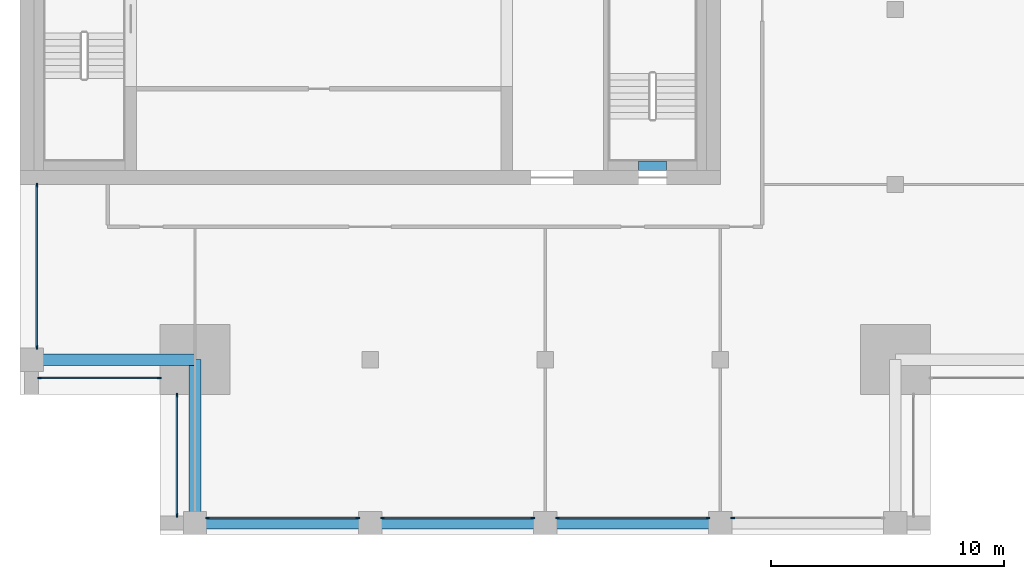
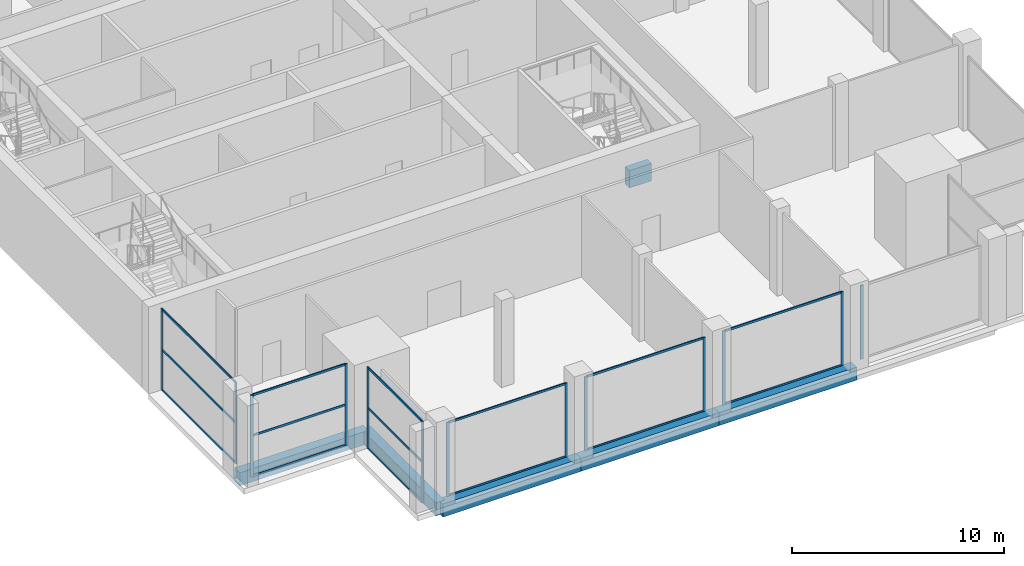
# One storey, part 2 of 15: 28 members, 6 beams, 7 elements without a shape of their own.
"""IFC4 building model written with IfcOpenShell, lengths in metres."""

import ifcopenshell
import ifcopenshell.guid

model = None  # the IFC model being written
_history = None  # IfcOwnerHistory: only IFC2X3 demands one
_inside = {}  # id of a spatial element -> (the spatial element, [elements in it])
_under = {}  # id of a project, library or spatial element -> (it, [spatial elements below it])
_declared = {}  # id of a project -> (the project, [libraries it declares])
_typed = {}  # id of a type object -> (the type object, [elements of that type])
_made_of = {}  # id of a material, layer set ... -> (it, [elements and type objects made of it])


def new_model(schema):
    """Start an empty IFC model of exactly this schema.

    Asked for "IFC4X3", IfcOpenShell would pick the latest addendum, in which some entities
    have other attributes; the version numbers below select the first issue.
    IFC2X3 requires an IfcOwnerHistory on every rooted entity: one is made here for all.
    """
    global model, _history
    if schema == "IFC4X3":
        model = ifcopenshell.file(schema_version=(4, 3, 0, 0))
    else:
        model = ifcopenshell.file(schema=schema)
    _inside.clear()
    _under.clear()
    _declared.clear()
    _typed.clear()
    _made_of.clear()
    _history = None
    if model.schema == "IFC2X3":
        org = make("IfcOrganization", Name="unknown")
        user = make(
            "IfcPersonAndOrganization",
            ThePerson=make("IfcPerson", FamilyName="unknown"),
            TheOrganization=org,
        )
        app = make(
            "IfcApplication",
            ApplicationDeveloper=org,
            Version="unknown",
            ApplicationFullName="unknown",
            ApplicationIdentifier="unknown",
        )
        _history = make(
            "IfcOwnerHistory",
            OwningUser=user,
            OwningApplication=app,
            ChangeAction="ADDED",
            CreationDate=0,
        )
    return model


def make(cls, **values):
    """One entity of the class cls with the attributes given. An attribute that is None is left unset."""
    return model.create_entity(
        cls, **{name: value for name, value in values.items() if value is not None}
    )


def rooted(cls, **values):
    """An entity with a GlobalId (a new one), such as an element, a storey or a relation."""
    return make(cls, GlobalId=ifcopenshell.guid.new(), OwnerHistory=_history, **values)


def si_unit(unit_type, name, prefix=None):
    """IfcSIUnit, for example si_unit("LENGTHUNIT", "METRE", prefix="MILLI")."""
    return make("IfcSIUnit", UnitType=unit_type, Prefix=prefix, Name=name)


def assignment(units):
    """IfcUnitAssignment: the units of a project."""
    return None if units is None else make("IfcUnitAssignment", Units=units)


def point(xyz):
    """IfcCartesianPoint."""
    return None if xyz is None else make("IfcCartesianPoint", Coordinates=xyz)


def direction(xyz):
    """IfcDirection."""
    return None if xyz is None else make("IfcDirection", DirectionRatios=xyz)


def frame(location, z_axis=None, x_axis=None):
    """IfcAxis2Placement3D, a coordinate frame: its origin and axes. An axis left out is left unset."""
    return make(
        "IfcAxis2Placement3D",
        Location=point(location),
        Axis=direction(z_axis),
        RefDirection=direction(x_axis),
    )


def frame_2d(location, x_axis=None):
    """IfcAxis2Placement2D, a coordinate frame in the plane: its origin and x axis."""
    return make(
        "IfcAxis2Placement2D", Location=point(location), RefDirection=direction(x_axis)
    )


def origin():
    """The frame at (0, 0, 0) with its axes left unset."""
    return frame((0.0, 0.0, 0.0))


def origin_2d():
    """The frame at (0, 0) in the plane with its x axis left unset."""
    return frame_2d((0.0, 0.0))


def place(relative_to, where):
    """IfcLocalPlacement: puts the frame where relative to a parent placement (None: the world)."""
    return make(
        "IfcLocalPlacement", PlacementRelTo=relative_to, RelativePlacement=where
    )


def context(
    kind, dimensions, precision=None, world=None, true_north=None, identifier=None
):
    """IfcGeometricRepresentationContext, for example the 3D "Model" context."""
    return make(
        "IfcGeometricRepresentationContext",
        ContextIdentifier=identifier,
        ContextType=kind,
        CoordinateSpaceDimension=dimensions,
        Precision=precision,
        WorldCoordinateSystem=world,
        TrueNorth=true_north,
    )


def subcontext(parent, identifier, kind, view, scale=None):
    """IfcGeometricRepresentationSubContext, for example "Body" below "Model"."""
    return make(
        "IfcGeometricRepresentationSubContext",
        ContextIdentifier=identifier,
        ContextType=kind,
        ParentContext=parent,
        TargetScale=scale,
        TargetView=view,
    )


def project(units=None, contexts=None):
    """IfcProject with its units and contexts."""
    return rooted(
        "IfcProject",
        Name="project",
        RepresentationContexts=contexts,
        UnitsInContext=assignment(units),
    )


def spatial(cls, under=None, at=None, **own):
    """A site, building, storey or space (cls), placed at a placement, below another one or the project."""
    s = rooted(cls, ObjectPlacement=at, **own)
    if under is not None:
        _under.setdefault(under.id(), (under, []))[1].append(s)
    return s


def profile(cls, at=None, kind="AREA", **sizes):
    """A parametric profile (cls). Its sizes go by their IFC names, for example OverallWidth=200.0."""
    return make(cls, ProfileType=kind, Position=at, **sizes)


def rectangle(**sizes):
    """IfcRectangleProfileDef."""
    return profile("IfcRectangleProfileDef", **sizes)


def extrude(swept, where, along, depth):
    """IfcExtrudedAreaSolid: the profile swept, set in the frame where, extruded along a direction by depth."""
    return make(
        "IfcExtrudedAreaSolid",
        SweptArea=swept,
        Position=where,
        ExtrudedDirection=direction(along),
        Depth=depth,
    )


def shape(context_of_items, identifier, shape_type, items):
    """IfcShapeRepresentation: the items that make up one representation, for example the "Body"."""
    return make(
        "IfcShapeRepresentation",
        ContextOfItems=context_of_items,
        RepresentationIdentifier=identifier,
        RepresentationType=shape_type,
        Items=items,
    )


def material(Name=None, Category=None):
    """IfcMaterial."""
    return make("IfcMaterial", Name=Name, Category=Category)


def layer(
    of_material, thickness, ventilated=None, Name=None, Category=None, Priority=None
):
    """IfcMaterialLayer: one layer of a wall or slab, of a material (None: an air gap)."""
    return make(
        "IfcMaterialLayer",
        Material=of_material,
        LayerThickness=thickness,
        IsVentilated=ventilated,
        Name=Name,
        Category=Category,
        Priority=Priority,
    )


def layer_set(layers, Name=None):
    """IfcMaterialLayerSet."""
    return make("IfcMaterialLayerSet", MaterialLayers=layers, LayerSetName=Name)


def material_profile(
    of_material, cross_section, Name=None, Category=None, Priority=None
):
    """IfcMaterialProfile: a cross section and its material."""
    return make(
        "IfcMaterialProfile",
        Name=Name,
        Material=of_material,
        Profile=cross_section,
        Priority=Priority,
        Category=Category,
    )


def profile_set(profiles, Name=None, composite=None):
    """IfcMaterialProfileSet."""
    return make(
        "IfcMaterialProfileSet",
        Name=Name,
        MaterialProfiles=profiles,
        CompositeProfile=composite,
    )


def made_of(thing, what):
    """Note that an element or type object is made of a material, layer set ...; save() writes the relation."""
    if what is not None:
        _made_of.setdefault(what.id(), (what, []))[1].append(thing)
    return thing


def type_object(cls, material=None, **own):
    """A type object (cls), such as IfcWallType, which elements share."""
    return made_of(rooted(cls, **own), material)


def element(
    cls,
    number,
    at=None,
    inside=None,
    cuts=None,
    type_object=None,
    material=None,
    context=None,
    identifier="Body",
    shape_type=None,
    held_by="IfcProductDefinitionShape",
    body=None,
    shapes=None,
    **own,
):
    """One element of the class cls, such as IfcWall. Its Tag is "e" and its number.

    at: its placement. inside: the storey or other place that contains it. cuts: it is an
    opening in that element (IfcRelVoidsElement). A single representation is given by context,
    identifier, shape_type and body (its items); several are given by shapes. held_by: the class
    of the entity that holds the representations. save() writes the other relations.
    """
    e = rooted(cls, Tag="e%d" % number, ObjectPlacement=at, **own)
    if body is not None:
        shapes = [shape(context, identifier, shape_type, body)]
    if shapes is not None:
        e.Representation = make(held_by, Representations=shapes)
    if inside is not None:
        _inside.setdefault(inside.id(), (inside, []))[1].append(e)
    if cuts is not None:
        rooted(
            "IfcRelVoidsElement", RelatingBuildingElement=cuts, RelatedOpeningElement=e
        )
    if type_object is not None:
        _typed.setdefault(type_object.id(), (type_object, []))[1].append(e)
    return made_of(e, material)


def aggregate(whole, parts):
    """IfcRelAggregates: a whole, such as a stair, and the parts it consists of."""
    return rooted("IfcRelAggregates", RelatingObject=whole, RelatedObjects=parts)


def save(model, path):
    """Write the relations noted so far, then the file.

    IfcRelAggregates (storeys below a building ...), IfcRelContainedInSpatialStructure (elements
    in a storey), IfcRelDefinesByType, IfcRelAssociatesMaterial and IfcRelDeclares: one each for
    every whole, place, type object, material and project.
    """
    for whole, parts in _under.values():
        aggregate(whole, parts)
    for where, things in _inside.values():
        rooted(
            "IfcRelContainedInSpatialStructure",
            RelatedElements=things,
            RelatingStructure=where,
        )
    for kind, things in _typed.values():
        rooted("IfcRelDefinesByType", RelatedObjects=things, RelatingType=kind)
    for what, things in _made_of.values():
        rooted("IfcRelAssociatesMaterial", RelatedObjects=things, RelatingMaterial=what)
    for by, libraries in _declared.values():
        rooted("IfcRelDeclares", RelatingContext=by, RelatedDefinitions=libraries)
    model.write(path)


model = new_model("IFC4")

# Units and contexts
model_context = context("Model", 3, precision=1e-05, world=origin(), true_north=direction((0.0, 1.0)))
body_context = subcontext(model_context, "Body", "Model", "MODEL_VIEW")
ifc_project = project(units=[si_unit("LENGTHUNIT", "METRE"), si_unit("AREAUNIT", "SQUARE_METRE"), si_unit("VOLUMEUNIT", "CUBIC_METRE"), si_unit("PLANEANGLEUNIT", "RADIAN"), si_unit("MASSUNIT", "GRAM", prefix="KILO")], contexts=[model_context])

# Site, building, storey
site_placement = place(None, origin())
site = spatial("IfcSite", under=ifc_project, at=site_placement, CompositionType="ELEMENT")
building_placement = place(site_placement, origin())
building = spatial("IfcBuilding", under=site, at=building_placement, Name="Tamorin Gate", CompositionType="ELEMENT")
storey_placement = place(building_placement, frame((0.0, 0.0, 287.199951171875)))
storey = spatial("IfcBuildingStorey", under=building, at=storey_placement, Name="L72", CompositionType="ELEMENT", Elevation=287.199951171875)

# Curtain wall, members
ifc_material_1 = material(Name="Aluminium mullions and transoms with clear glass", Category="aluminium")
ifc_layer = layer(ifc_material_1, 0.159912109375)
ifc_layer_set = layer_set([ifc_layer], Name="Curtain wall system CW2")
curtain_wall_type = type_object("IfcCurtainWallType", Name="Curtain wall system CW2", PredefinedType="NOTDEFINED", material=ifc_layer_set)
curtain_wall_1_placement = place(storey_placement, origin())
curtain_wall_1 = element("IfcCurtainWall", 1, at=curtain_wall_1_placement, inside=storey, type_object=curtain_wall_type, Name="Curtain wall", PredefinedType="NOTDEFINED")
ifc_material_2 = material(Name="Aluminium", Category="aluminium")
ifc_material_profile_1 = material_profile(ifc_material_2, rectangle(XDim=0.06005859375, YDim=0.159912109375, at=origin_2d()), Name="RECT 60x160")
ifc_profile_set_1 = profile_set([ifc_material_profile_1], Name="Aluminium")
member_type_1 = type_object("IfcMemberType", Name="Aluminium mullion 60x160", PredefinedType="MULLION", material=ifc_profile_set_1)
member_1_placement = place(storey_placement, frame((38.030029296875, 45.719970703125, 0.0), z_axis=(0.0, 0.0, 1.0), x_axis=(0.0, 1.0, 0.0)))
member_1 = element("IfcMember", 2, at=member_1_placement, type_object=member_type_1, Name="CW2 mullion 1", PredefinedType="MULLION", context=body_context, shape_type="SweptSolid", body=[
    extrude(rectangle(XDim=0.06005859375, YDim=0.159912109375, at=origin_2d()), origin(), (0.0, 0.0, 1.0), 4.25),
])
member_2_placement = place(storey_placement, frame((44.469970703125, 45.719970703125, 0.0), z_axis=(0.0, 0.0, 1.0), x_axis=(0.0, 1.0, 0.0)))
member_2 = element("IfcMember", 3, at=member_2_placement, type_object=member_type_1, Name="CW2 mullion 2", PredefinedType="MULLION", context=body_context, shape_type="SweptSolid", body=[
    extrude(rectangle(XDim=0.06005859375, YDim=0.159912109375, at=origin_2d()), origin(), (0.0, 0.0, 1.0), 4.25),
])

curtain_wall_2_placement = place(storey_placement, origin())
curtain_wall_2 = element("IfcCurtainWall", 4, at=curtain_wall_2_placement, inside=storey, type_object=curtain_wall_type, Name="Curtain wall", PredefinedType="NOTDEFINED")
member_3_placement = place(storey_placement, frame((45.530029296875, 45.719970703125, 0.0), z_axis=(0.0, 0.0, 1.0), x_axis=(0.0, 1.0, 0.0)))
member_3 = element("IfcMember", 5, at=member_3_placement, type_object=member_type_1, Name="CW2 mullion 1", PredefinedType="MULLION", context=body_context, shape_type="SweptSolid", body=[
    extrude(rectangle(XDim=0.06005859375, YDim=0.159912109375, at=origin_2d()), origin(), (0.0, 0.0, 1.0), 4.25),
])
member_4_placement = place(storey_placement, frame((51.969970703125, 45.719970703125, 0.0), z_axis=(0.0, 0.0, 1.0), x_axis=(0.0, 1.0, 0.0)))
member_4 = element("IfcMember", 6, at=member_4_placement, type_object=member_type_1, Name="CW2 mullion 2", PredefinedType="MULLION", context=body_context, shape_type="SweptSolid", body=[
    extrude(rectangle(XDim=0.06005859375, YDim=0.159912109375, at=origin_2d()), origin(), (0.0, 0.0, 1.0), 4.25),
])

curtain_wall_3_placement = place(storey_placement, origin())
curtain_wall_3 = element("IfcCurtainWall", 7, at=curtain_wall_3_placement, inside=storey, type_object=curtain_wall_type, Name="Curtain wall", PredefinedType="NOTDEFINED")
member_5_placement = place(storey_placement, frame((53.030029296875, 45.719970703125, 0.0), z_axis=(0.0, 0.0, 1.0), x_axis=(0.0, 1.0, 0.0)))
member_5 = element("IfcMember", 8, at=member_5_placement, type_object=member_type_1, Name="CW2 mullion 1", PredefinedType="MULLION", context=body_context, shape_type="SweptSolid", body=[
    extrude(rectangle(XDim=0.06005859375, YDim=0.159912109375, at=origin_2d()), origin(), (0.0, 0.0, 1.0), 4.25),
])
member_6_placement = place(storey_placement, frame((59.469970703125, 45.719970703125, 0.0), z_axis=(0.0, 0.0, 1.0), x_axis=(0.0, 1.0, 0.0)))
member_6 = element("IfcMember", 9, at=member_6_placement, type_object=member_type_1, Name="CW2 mullion 2", PredefinedType="MULLION", context=body_context, shape_type="SweptSolid", body=[
    extrude(rectangle(XDim=0.06005859375, YDim=0.159912109375, at=origin_2d()), origin(), (0.0, 0.0, 1.0), 4.25),
])

# Curtain wall, member
curtain_wall_4_placement = place(storey_placement, origin())
curtain_wall_4 = element("IfcCurtainWall", 10, at=curtain_wall_4_placement, inside=storey, type_object=curtain_wall_type, Name="Curtain wall", PredefinedType="NOTDEFINED")
member_7_placement = place(storey_placement, frame((60.530029296875, 45.719970703125, 0.0), z_axis=(0.0, 0.0, 1.0), x_axis=(0.0, 1.0, 0.0)))
member_7 = element("IfcMember", 11, at=member_7_placement, type_object=member_type_1, Name="CW2 mullion 1", PredefinedType="MULLION", context=body_context, shape_type="SweptSolid", body=[
    extrude(rectangle(XDim=0.06005859375, YDim=0.159912109375, at=origin_2d()), origin(), (0.0, 0.0, 1.0), 4.25),
])
aggregate(curtain_wall_4, [member_7])

# Curtain wall, members
curtain_wall_5_placement = place(storey_placement, origin())
curtain_wall_5 = element("IfcCurtainWall", 12, at=curtain_wall_5_placement, inside=storey, type_object=curtain_wall_type, Name="Curtain wall", PredefinedType="NOTDEFINED")
member_8_placement = place(storey_placement, frame((30.719970703125, 59.969970703125, 0.0), z_axis=(0.0, 0.0, 1.0), x_axis=(1.0, 0.0, 0.0)))
member_8 = element("IfcMember", 13, at=member_8_placement, type_object=member_type_1, Name="CW2 mullion 1", PredefinedType="MULLION", context=body_context, shape_type="SweptSolid", body=[
    extrude(rectangle(XDim=0.06005859375, YDim=0.159912109375, at=origin_2d()), origin(), (0.0, 0.0, 1.0), 4.699951171875),
])
member_9_placement = place(storey_placement, frame((30.719970703125, 53.030029296875, 0.0), z_axis=(0.0, 0.0, 1.0), x_axis=(1.0, 0.0, 0.0)))
member_9 = element("IfcMember", 14, at=member_9_placement, type_object=member_type_1, Name="CW2 mullion 2", PredefinedType="MULLION", context=body_context, shape_type="SweptSolid", body=[
    extrude(rectangle(XDim=0.06005859375, YDim=0.159912109375, at=origin_2d()), origin(), (0.0, 0.0, 1.0), 4.699951171875),
])

curtain_wall_6_placement = place(storey_placement, origin())
curtain_wall_6 = element("IfcCurtainWall", 15, at=curtain_wall_6_placement, inside=storey, type_object=curtain_wall_type, Name="Curtain wall", PredefinedType="NOTDEFINED")
member_10_placement = place(storey_placement, frame((30.830078125, 51.719970703125, 0.0), z_axis=(0.0, 0.0, 1.0), x_axis=(0.0, 1.0, 0.0)))
member_10 = element("IfcMember", 16, at=member_10_placement, type_object=member_type_1, Name="CW2 mullion 1", PredefinedType="MULLION", context=body_context, shape_type="SweptSolid", body=[
    extrude(rectangle(XDim=0.06005859375, YDim=0.159912109375, at=origin_2d()), origin(), (0.0, 0.0, 1.0), 4.699951171875),
])
member_11_placement = place(storey_placement, frame((35.969970703125, 51.719970703125, 0.0), z_axis=(0.0, 0.0, 1.0), x_axis=(0.0, 1.0, 0.0)))
member_11 = element("IfcMember", 17, at=member_11_placement, type_object=member_type_1, Name="CW2 mullion 2", PredefinedType="MULLION", context=body_context, shape_type="SweptSolid", body=[
    extrude(rectangle(XDim=0.06005859375, YDim=0.159912109375, at=origin_2d()), origin(), (0.0, 0.0, 1.0), 4.699951171875),
])

curtain_wall_7_placement = place(storey_placement, origin())
curtain_wall_7 = element("IfcCurtainWall", 18, at=curtain_wall_7_placement, inside=storey, type_object=curtain_wall_type, Name="Curtain wall", PredefinedType="NOTDEFINED")
member_12_placement = place(storey_placement, frame((36.719970703125, 50.969970703125, 0.0), z_axis=(0.0, 0.0, 1.0), x_axis=(1.0, 0.0, 0.0)))
member_12 = element("IfcMember", 19, at=member_12_placement, type_object=member_type_1, Name="CW2 mullion 1", PredefinedType="MULLION", context=body_context, shape_type="SweptSolid", body=[
    extrude(rectangle(XDim=0.06005859375, YDim=0.159912109375, at=origin_2d()), origin(), (0.0, 0.0, 1.0), 4.699951171875),
])
member_13_placement = place(storey_placement, frame((36.719970703125, 45.830078125, 0.0), z_axis=(0.0, 0.0, 1.0), x_axis=(1.0, 0.0, 0.0)))
member_13 = element("IfcMember", 20, at=member_13_placement, type_object=member_type_1, Name="CW2 mullion 2", PredefinedType="MULLION", context=body_context, shape_type="SweptSolid", body=[
    extrude(rectangle(XDim=0.06005859375, YDim=0.159912109375, at=origin_2d()), origin(), (0.0, 0.0, 1.0), 4.699951171875),
])

# Member
ifc_material_profile_2 = material_profile(ifc_material_2, rectangle(XDim=0.06005859375, YDim=0.1201171875, at=origin_2d()), Name="RECT 60x120")
ifc_profile_set_2 = profile_set([ifc_material_profile_2], Name="Aluminium")
member_type_2 = type_object("IfcMemberType", Name="Aluminium transom 60x120", PredefinedType="USERDEFINED", material=ifc_profile_set_2)
member_14_placement = place(storey_placement, frame((38.06005859375, 45.719970703125, 0.030029296875), z_axis=(1.0, 0.0, 0.0), x_axis=(0.0, 1.0, 0.0)))
member_14 = element("IfcMember", 21, at=member_14_placement, type_object=member_type_2, Name="CW2 transom 1.1", ObjectType="TRANSOM", PredefinedType="USERDEFINED", context=body_context, shape_type="SweptSolid", body=[
    extrude(rectangle(XDim=0.06005859375, YDim=0.1201171875, at=origin_2d()), origin(), (0.0, 0.0, 1.0), 6.3798828125),
])

member_15_placement = place(storey_placement, frame((38.06005859375, 45.719970703125, 4.219970703125), z_axis=(1.0, 0.0, 0.0), x_axis=(0.0, 1.0, 0.0)))
member_15 = element("IfcMember", 22, at=member_15_placement, type_object=member_type_2, Name="CW2 transom 1.2", ObjectType="TRANSOM", PredefinedType="USERDEFINED", context=body_context, shape_type="SweptSolid", body=[
    extrude(rectangle(XDim=0.06005859375, YDim=0.1201171875, at=origin_2d()), origin(), (0.0, 0.0, 1.0), 6.3798828125),
])

aggregate(curtain_wall_1, [member_1, member_2, member_14, member_15])

member_16_placement = place(storey_placement, frame((45.56005859375, 45.719970703125, 0.030029296875), z_axis=(1.0, 0.0, 0.0), x_axis=(0.0, 1.0, 0.0)))
member_16 = element("IfcMember", 23, at=member_16_placement, type_object=member_type_2, Name="CW2 transom 1.1", ObjectType="TRANSOM", PredefinedType="USERDEFINED", context=body_context, shape_type="SweptSolid", body=[
    extrude(rectangle(XDim=0.06005859375, YDim=0.1201171875, at=origin_2d()), origin(), (0.0, 0.0, 1.0), 6.3798828125),
])

member_17_placement = place(storey_placement, frame((45.56005859375, 45.719970703125, 4.219970703125), z_axis=(1.0, 0.0, 0.0), x_axis=(0.0, 1.0, 0.0)))
member_17 = element("IfcMember", 24, at=member_17_placement, type_object=member_type_2, Name="CW2 transom 1.2", ObjectType="TRANSOM", PredefinedType="USERDEFINED", context=body_context, shape_type="SweptSolid", body=[
    extrude(rectangle(XDim=0.06005859375, YDim=0.1201171875, at=origin_2d()), origin(), (0.0, 0.0, 1.0), 6.3798828125),
])

aggregate(curtain_wall_2, [member_3, member_4, member_16, member_17])

member_18_placement = place(storey_placement, frame((53.06005859375, 45.719970703125, 0.030029296875), z_axis=(1.0, 0.0, 0.0), x_axis=(0.0, 1.0, 0.0)))
member_18 = element("IfcMember", 25, at=member_18_placement, type_object=member_type_2, Name="CW2 transom 1.1", ObjectType="TRANSOM", PredefinedType="USERDEFINED", context=body_context, shape_type="SweptSolid", body=[
    extrude(rectangle(XDim=0.06005859375, YDim=0.1201171875, at=origin_2d()), origin(), (0.0, 0.0, 1.0), 6.3798828125),
])

member_19_placement = place(storey_placement, frame((53.06005859375, 45.719970703125, 4.219970703125), z_axis=(1.0, 0.0, 0.0), x_axis=(0.0, 1.0, 0.0)))
member_19 = element("IfcMember", 26, at=member_19_placement, type_object=member_type_2, Name="CW2 transom 1.2", ObjectType="TRANSOM", PredefinedType="USERDEFINED", context=body_context, shape_type="SweptSolid", body=[
    extrude(rectangle(XDim=0.06005859375, YDim=0.1201171875, at=origin_2d()), origin(), (0.0, 0.0, 1.0), 6.3798828125),
])

aggregate(curtain_wall_3, [member_5, member_6, member_18, member_19])

member_20_placement = place(storey_placement, frame((30.719970703125, 59.93994140625, 0.030029296875), z_axis=(0.0, -1.0, 0.0), x_axis=(1.0, 0.0, 0.0)))
member_20 = element("IfcMember", 27, at=member_20_placement, type_object=member_type_2, Name="CW2 transom 1.1", ObjectType="TRANSOM", PredefinedType="USERDEFINED", context=body_context, shape_type="SweptSolid", body=[
    extrude(rectangle(XDim=0.06005859375, YDim=0.1201171875, at=origin_2d()), origin(), (0.0, 0.0, 1.0), 6.8798828125),
])

member_21_placement = place(storey_placement, frame((30.719970703125, 59.93994140625, 2.35009765625), z_axis=(0.0, -1.0, 0.0), x_axis=(1.0, 0.0, 0.0)))
member_21 = element("IfcMember", 28, at=member_21_placement, type_object=member_type_2, Name="CW2 transom 1.2", ObjectType="TRANSOM", PredefinedType="USERDEFINED", context=body_context, shape_type="SweptSolid", body=[
    extrude(rectangle(XDim=0.06005859375, YDim=0.1201171875, at=origin_2d()), origin(), (0.0, 0.0, 1.0), 6.8798828125),
])

member_22_placement = place(storey_placement, frame((30.719970703125, 59.93994140625, 4.670166015625), z_axis=(0.0, -1.0, 0.0), x_axis=(1.0, 0.0, 0.0)))
member_22 = element("IfcMember", 29, at=member_22_placement, type_object=member_type_2, Name="CW2 transom 1.3", ObjectType="TRANSOM", PredefinedType="USERDEFINED", context=body_context, shape_type="SweptSolid", body=[
    extrude(rectangle(XDim=0.06005859375, YDim=0.1201171875, at=origin_2d()), origin(), (0.0, 0.0, 1.0), 6.8798828125),
])

aggregate(curtain_wall_5, [member_8, member_9, member_20, member_21, member_22])

member_23_placement = place(storey_placement, frame((30.860107421875, 51.719970703125, 0.030029296875), z_axis=(1.0, 0.0, 0.0), x_axis=(0.0, 1.0, 0.0)))
member_23 = element("IfcMember", 30, at=member_23_placement, type_object=member_type_2, Name="CW2 transom 1.1", ObjectType="TRANSOM", PredefinedType="USERDEFINED", context=body_context, shape_type="SweptSolid", body=[
    extrude(rectangle(XDim=0.06005859375, YDim=0.1201171875, at=origin_2d()), origin(), (0.0, 0.0, 1.0), 5.079833984375),
])

member_24_placement = place(storey_placement, frame((30.860107421875, 51.719970703125, 2.35009765625), z_axis=(1.0, 0.0, 0.0), x_axis=(0.0, 1.0, 0.0)))
member_24 = element("IfcMember", 31, at=member_24_placement, type_object=member_type_2, Name="CW2 transom 1.2", ObjectType="TRANSOM", PredefinedType="USERDEFINED", context=body_context, shape_type="SweptSolid", body=[
    extrude(rectangle(XDim=0.06005859375, YDim=0.1201171875, at=origin_2d()), origin(), (0.0, 0.0, 1.0), 5.079833984375),
])

member_25_placement = place(storey_placement, frame((30.860107421875, 51.719970703125, 4.670166015625), z_axis=(1.0, 0.0, 0.0), x_axis=(0.0, 1.0, 0.0)))
member_25 = element("IfcMember", 32, at=member_25_placement, type_object=member_type_2, Name="CW2 transom 1.3", ObjectType="TRANSOM", PredefinedType="USERDEFINED", context=body_context, shape_type="SweptSolid", body=[
    extrude(rectangle(XDim=0.06005859375, YDim=0.1201171875, at=origin_2d()), origin(), (0.0, 0.0, 1.0), 5.079833984375),
])

aggregate(curtain_wall_6, [member_10, member_11, member_23, member_24, member_25])

member_26_placement = place(storey_placement, frame((36.719970703125, 50.93994140625, 0.030029296875), z_axis=(0.0, -1.0, 0.0), x_axis=(1.0, 0.0, 0.0)))
member_26 = element("IfcMember", 33, at=member_26_placement, type_object=member_type_2, Name="CW2 transom 1.1", ObjectType="TRANSOM", PredefinedType="USERDEFINED", context=body_context, shape_type="SweptSolid", body=[
    extrude(rectangle(XDim=0.06005859375, YDim=0.1201171875, at=origin_2d()), origin(), (0.0, 0.0, 1.0), 5.079833984375),
])

member_27_placement = place(storey_placement, frame((36.719970703125, 50.93994140625, 2.35009765625), z_axis=(0.0, -1.0, 0.0), x_axis=(1.0, 0.0, 0.0)))
member_27 = element("IfcMember", 34, at=member_27_placement, type_object=member_type_2, Name="CW2 transom 1.2", ObjectType="TRANSOM", PredefinedType="USERDEFINED", context=body_context, shape_type="SweptSolid", body=[
    extrude(rectangle(XDim=0.06005859375, YDim=0.1201171875, at=origin_2d()), origin(), (0.0, 0.0, 1.0), 5.079833984375),
])

member_28_placement = place(storey_placement, frame((36.719970703125, 50.93994140625, 4.670166015625), z_axis=(0.0, -1.0, 0.0), x_axis=(1.0, 0.0, 0.0)))
member_28 = element("IfcMember", 35, at=member_28_placement, type_object=member_type_2, Name="CW2 transom 1.3", ObjectType="TRANSOM", PredefinedType="USERDEFINED", context=body_context, shape_type="SweptSolid", body=[
    extrude(rectangle(XDim=0.06005859375, YDim=0.1201171875, at=origin_2d()), origin(), (0.0, 0.0, 1.0), 5.079833984375),
])

aggregate(curtain_wall_7, [member_12, member_13, member_26, member_27, member_28])

# Beams
ifc_material_3 = material(Name="Concrete C50/60", Category="concrete")
ifc_material_profile_3 = material_profile(ifc_material_3, rectangle(XDim=0.5, YDim=0.75, at=origin_2d()), Name="RC 500x750")
ifc_profile_set_3 = profile_set([ifc_material_profile_3], Name="Concrete C50/60")
beam_type_1 = type_object("IfcBeamType", Name="RC spandrel 500x750 C50/60", PredefinedType="BEAM", material=ifc_profile_set_3)
for number, where, z_axis, x_axis, name in (
    (36, (37.5, 45.5, -0.375), (1.0, 0.0, 0.0), (0.0, 1.0, 0.0), "Spandrel beam L72"),
    (37, (45.0, 45.5, -0.375), (1.0, 0.0, 0.0), (0.0, 1.0, 0.0), "Spandrel beam L72"),
    (38, (52.5, 45.5, -0.375), (1.0, 0.0, 0.0), (0.0, 1.0, 0.0), "Spandrel beam L72"),
):
    element("IfcBeam", number, at=place(storey_placement, frame(where, z_axis=z_axis, x_axis=x_axis)), inside=storey, type_object=beam_type_1, Name=name, PredefinedType="BEAM", context=body_context, shape_type="SweptSolid", body=[
        extrude(rectangle(XDim=0.5, YDim=0.75, at=origin_2d()), origin(), (0.0, 0.0, 1.0), 7.5),
    ])
for number, where, z_axis, x_axis, name in (
    (39, (37.5, 52.5, -0.375), (-1.0, 0.0, 0.0), (0.0, -1.0, 0.0), "Corner tie beam L72"),
    (40, (37.5, 52.5, -0.375), (0.0, -1.0, 0.0), (1.0, 0.0, 0.0), "Corner tie beam L72"),
):
    element("IfcBeam", number, at=place(storey_placement, frame(where, z_axis=z_axis, x_axis=x_axis)), inside=storey, type_object=beam_type_1, Name=name, PredefinedType="BEAM", context=body_context, shape_type="SweptSolid", body=[
        extrude(rectangle(XDim=0.5, YDim=0.75, at=origin_2d()), origin(), (0.0, 0.0, 1.0), 7.0),
    ])
ifc_material_profile_4 = material_profile(ifc_material_3, rectangle(XDim=0.39990234375, YDim=1.0, at=origin_2d()))
ifc_profile_set_4 = profile_set([ifc_material_profile_4], Name="Concrete C50/60")
beam_type_2 = type_object("IfcBeamType", Name="Stair lintel 400x1000 C50/60", PredefinedType="BEAM", material=ifc_profile_set_4)
beam_placement = place(storey_placement, frame((56.5, 60.800048828125, 2.699951171875), z_axis=(1.0, 0.0, 0.0), x_axis=(0.0, 1.0, 0.0)))
element("IfcBeam", 41, at=beam_placement, inside=storey, type_object=beam_type_2, Name="Stair lintel", PredefinedType="BEAM", context=body_context, shape_type="SweptSolid", body=[
    extrude(rectangle(XDim=0.39990234375, YDim=1.0, at=origin_2d()), origin(), (0.0, 0.0, 1.0), 1.199951171875),
])

save(model, "model.ifc")
